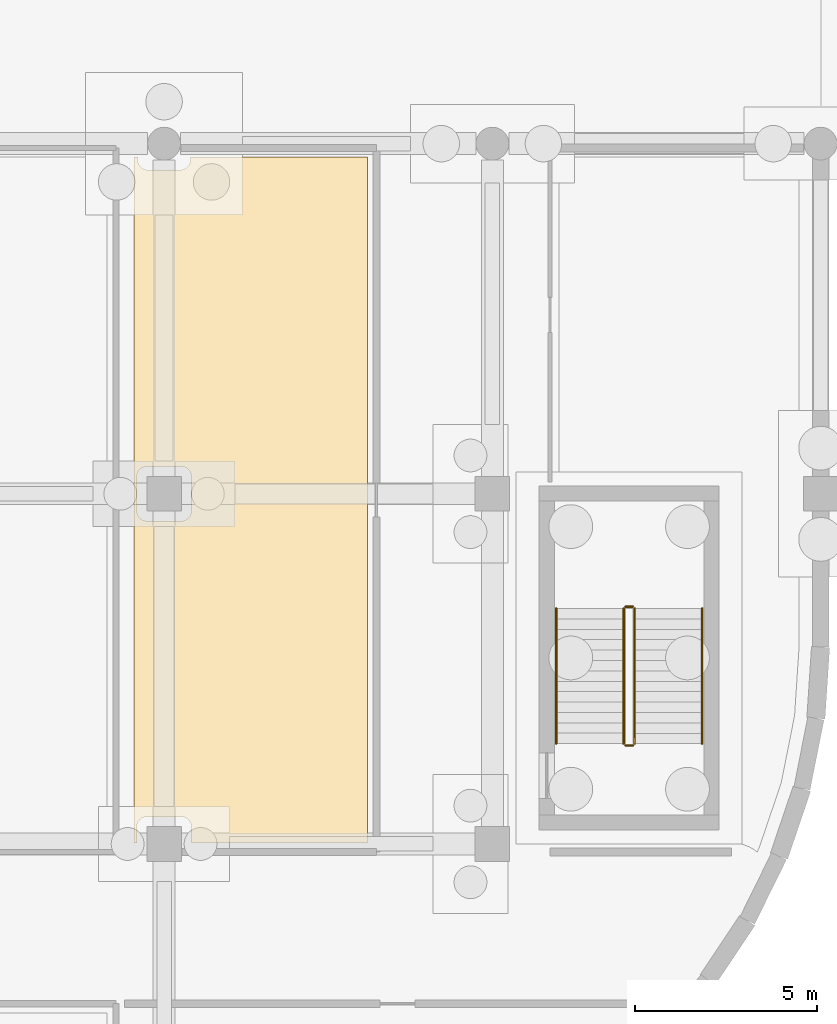
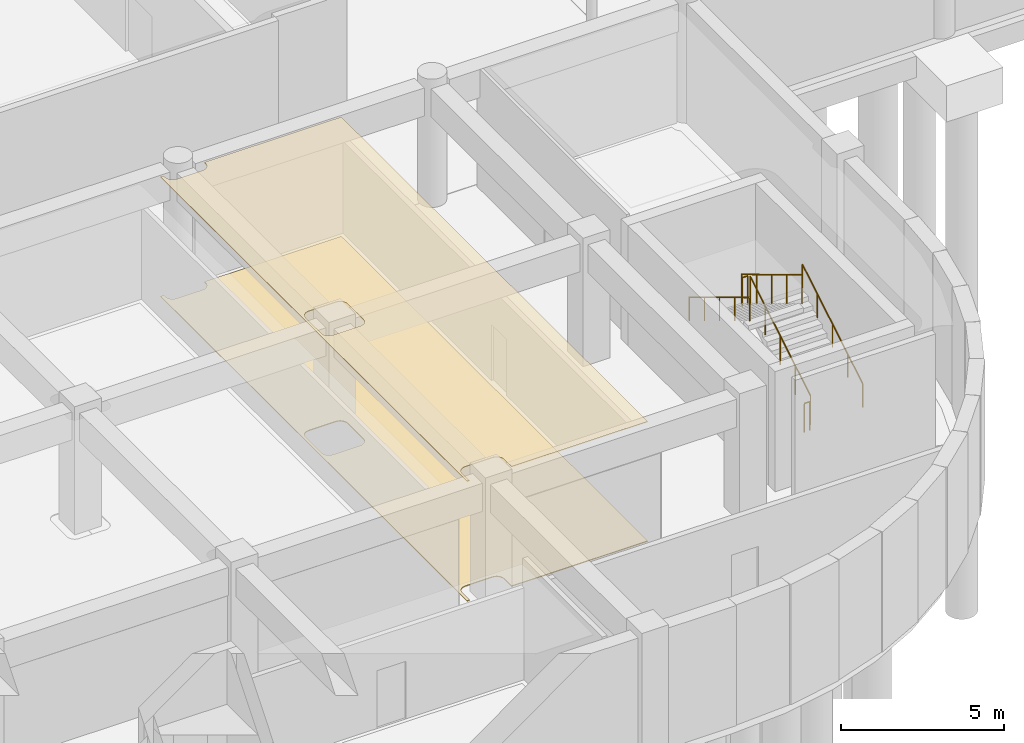
# One storey, part 35 of 47: 6 railings, 2 coverings.
"""IFC4 building model written with IfcOpenShell, lengths in metres."""

from ifc_helpers import new_model, si_unit, direction, frame, origin, origin_2d, place, context, subcontext, project, spatial, polyline, circle, outline, extrude, material, layer, layer_set, type_object, element, save


model = new_model("IFC4")

# Units and contexts
model_context = context("Model", 3, precision=1e-05, world=origin(), true_north=direction((0.0, 1.0)))
body_context = subcontext(model_context, "Body", "Model", "MODEL_VIEW")
ifc_project = project(units=[si_unit("LENGTHUNIT", "METRE"), si_unit("AREAUNIT", "SQUARE_METRE"), si_unit("VOLUMEUNIT", "CUBIC_METRE"), si_unit("PLANEANGLEUNIT", "RADIAN"), si_unit("MASSUNIT", "GRAM", prefix="KILO")], contexts=[model_context])

# Site, building, storey
site_placement = place(None, origin())
site = spatial("IfcSite", under=ifc_project, at=site_placement, CompositionType="ELEMENT")
building_placement = place(site_placement, origin())
building = spatial("IfcBuilding", under=site, at=building_placement, Name="Cendralis Terraced Arcade", CompositionType="ELEMENT")
storey_placement = place(building_placement, frame((0.0, 0.0, -4.800048828125)))
storey = spatial("IfcBuildingStorey", under=building, at=storey_placement, Name="B1", CompositionType="ELEMENT", Elevation=-4.800048828125)

# Coverings
ifc_material_1 = material(Name="Gypsum plasterboard acoustic partition")
ifc_layer_1 = layer(ifc_material_1, 0.02490234375, Name="COV-CEIL-ACOU-25")
ifc_layer_set_1 = layer_set([ifc_layer_1], Name="Gypsum plasterboard acoustic partition")
covering_type_1 = type_object("IfcCoveringType", Name="COV-CEIL-ACOU-25", PredefinedType="CEILING", material=ifc_layer_set_1)
covering_1_placement = place(storey_placement, frame((0.0, 0.0, 4.47509765625)))
element("IfcCovering", 1, at=covering_1_placement, inside=storey, type_object=covering_type_1, Name="Acoustic Soffit Ceiling B1-014", PredefinedType="CEILING", context=body_context, shape_type="SweptSolid", body=[
    extrude(outline(polyline([(102.47998046875, 37.949951171875), (102.480224609375, 37.937744140625), (102.48046875, 37.935791015625), (102.48291015625, 37.911376953125), (102.483154296875, 37.909423828125), (102.48779296875, 37.885498046875), (102.48828125, 37.88330078125), (102.49560546875, 37.860107421875), (102.49609375, 37.858154296875), (102.505615234375, 37.83544921875), (102.50634765625, 37.833740234375), (102.517822265625, 37.81201171875), (102.518798828125, 37.810302734375), (102.53271484375, 37.7900390625), (102.53369140625, 37.788330078125), (102.54931640625, 37.769287109375), (102.550537109375, 37.76806640625), (102.568115234375, 37.75048828125), (102.5693359375, 37.749267578125), (102.58837890625, 37.733642578125), (102.590087890625, 37.732666015625), (102.6103515625, 37.718994140625), (102.612060546875, 37.718017578125), (102.6337890625, 37.706298828125), (102.635498046875, 37.70556640625), (102.658203125, 37.696044921875), (102.659912109375, 37.695556640625), (102.683349609375, 37.6884765625), (102.685302734375, 37.68798828125), (102.70947265625, 37.68310546875), (102.71142578125, 37.682861328125), (102.73583984375, 37.680419921875), (102.73779296875, 37.680419921875), (102.75, 37.679931640625), (103.64990234375, 37.679931640625), (103.662353515625, 37.680419921875), (103.664306640625, 37.680419921875), (103.688720703125, 37.682861328125), (103.690673828125, 37.68310546875), (103.714599609375, 37.68798828125), (103.716552734375, 37.6884765625), (103.739990234375, 37.695556640625), (103.741943359375, 37.696044921875), (103.764404296875, 37.70556640625), (103.766357421875, 37.706298828125), (103.7880859375, 37.718017578125), (103.78955078125, 37.718994140625), (103.81005859375, 37.732666015625), (103.8115234375, 37.733642578125), (103.83056640625, 37.749267578125), (103.83203125, 37.75048828125), (103.849365234375, 37.76806640625), (103.8505859375, 37.769287109375), (103.8662109375, 37.788330078125), (103.867431640625, 37.7900390625), (103.881103515625, 37.810302734375), (103.882080078125, 37.81201171875), (103.8935546875, 37.833740234375), (103.89453125, 37.83544921875), (103.90380859375, 37.858154296875), (103.904541015625, 37.860107421875), (103.91162109375, 37.88330078125), (103.912109375, 37.885498046875), (103.9169921875, 37.909423828125), (103.917236328125, 37.911376953125), (103.919677734375, 37.935791015625), (103.919677734375, 37.937744140625), (103.919921875, 37.949951171875), (103.919921875, 38.030029296875), (108.77001953125, 38.030029296875), (108.77001953125, 19.22998046875), (103.945068359375, 19.22998046875), (103.945068359375, 19.675048828125), (103.944580078125, 19.687255859375), (103.944580078125, 19.689208984375), (103.942138671875, 19.713623046875), (103.94189453125, 19.715576171875), (103.93701171875, 19.739501953125), (103.9365234375, 19.74169921875), (103.929443359375, 19.764892578125), (103.928955078125, 19.766845703125), (103.91943359375, 19.78955078125), (103.918701171875, 19.791259765625), (103.906982421875, 19.81298828125), (103.906005859375, 19.814697265625), (103.892333984375, 19.8349609375), (103.891357421875, 19.836669921875), (103.875732421875, 19.855712890625), (103.87451171875, 19.85693359375), (103.85693359375, 19.87451171875), (103.855712890625, 19.875732421875), (103.836669921875, 19.891357421875), (103.8349609375, 19.892333984375), (103.814697265625, 19.906005859375), (103.81298828125, 19.906982421875), (103.791259765625, 19.918701171875), (103.78955078125, 19.91943359375), (103.766845703125, 19.928955078125), (103.764892578125, 19.929443359375), (103.74169921875, 19.9365234375), (103.739501953125, 19.93701171875), (103.715576171875, 19.94189453125), (103.713623046875, 19.942138671875), (103.689208984375, 19.944580078125), (103.687255859375, 19.944580078125), (103.675048828125, 19.945068359375), (102.72509765625, 19.945068359375), (102.712646484375, 19.944580078125), (102.710693359375, 19.944580078125), (102.686279296875, 19.942138671875), (102.684326171875, 19.94189453125), (102.660400390625, 19.93701171875), (102.658447265625, 19.9365234375), (102.635009765625, 19.929443359375), (102.633056640625, 19.928955078125), (102.610595703125, 19.91943359375), (102.608642578125, 19.918701171875), (102.5869140625, 19.906982421875), (102.58544921875, 19.906005859375), (102.56494140625, 19.892333984375), (102.5634765625, 19.891357421875), (102.54443359375, 19.875732421875), (102.54296875, 19.87451171875), (102.525634765625, 19.85693359375), (102.5244140625, 19.855712890625), (102.5087890625, 19.836669921875), (102.507568359375, 19.8349609375), (102.493896484375, 19.814697265625), (102.492919921875, 19.81298828125), (102.4814453125, 19.791259765625), (102.48046875, 19.78955078125), (102.47119140625, 19.766845703125), (102.470458984375, 19.764892578125), (102.46337890625, 19.74169921875), (102.462890625, 19.739501953125), (102.4580078125, 19.715576171875), (102.457763671875, 19.713623046875), (102.455322265625, 19.689208984375), (102.455322265625, 19.687255859375), (102.455078125, 19.675048828125), (102.455078125, 19.22998046875), (102.3701171875, 19.22998046875), (102.3701171875, 38.030029296875), (102.47998046875, 38.030029296875), (102.47998046875, 37.949951171875)]), holes=[polyline([(102.608642578125, 28.081298828125), (102.610595703125, 28.08056640625), (102.633056640625, 28.071044921875), (102.635009765625, 28.070556640625), (102.658447265625, 28.0634765625), (102.660400390625, 28.06298828125), (102.684326171875, 28.05810546875), (102.686279296875, 28.057861328125), (102.710693359375, 28.055419921875), (102.712646484375, 28.055419921875), (102.72509765625, 28.054931640625), (103.675048828125, 28.054931640625), (103.687255859375, 28.055419921875), (103.689208984375, 28.055419921875), (103.713623046875, 28.057861328125), (103.715576171875, 28.05810546875), (103.739501953125, 28.06298828125), (103.74169921875, 28.0634765625), (103.764892578125, 28.070556640625), (103.766845703125, 28.071044921875), (103.78955078125, 28.08056640625), (103.791259765625, 28.081298828125), (103.81298828125, 28.093017578125), (103.814697265625, 28.093994140625), (103.8349609375, 28.107666015625), (103.836669921875, 28.108642578125), (103.855712890625, 28.124267578125), (103.85693359375, 28.12548828125), (103.87451171875, 28.14306640625), (103.875732421875, 28.144287109375), (103.891357421875, 28.163330078125), (103.892333984375, 28.1650390625), (103.906005859375, 28.185302734375), (103.906982421875, 28.18701171875), (103.918701171875, 28.208740234375), (103.91943359375, 28.21044921875), (103.928955078125, 28.233154296875), (103.929443359375, 28.235107421875), (103.9365234375, 28.25830078125), (103.93701171875, 28.260498046875), (103.94189453125, 28.284423828125), (103.942138671875, 28.286376953125), (103.944580078125, 28.310791015625), (103.944580078125, 28.312744140625), (103.945068359375, 28.324951171875), (103.945068359375, 29.27490234375), (103.944580078125, 29.287353515625), (103.944580078125, 29.289306640625), (103.942138671875, 29.313720703125), (103.94189453125, 29.315673828125), (103.93701171875, 29.339599609375), (103.9365234375, 29.341552734375), (103.929443359375, 29.364990234375), (103.928955078125, 29.366943359375), (103.91943359375, 29.389404296875), (103.918701171875, 29.391357421875), (103.906982421875, 29.4130859375), (103.906005859375, 29.41455078125), (103.892333984375, 29.43505859375), (103.891357421875, 29.4365234375), (103.875732421875, 29.45556640625), (103.87451171875, 29.45703125), (103.85693359375, 29.474365234375), (103.855712890625, 29.4755859375), (103.836669921875, 29.4912109375), (103.8349609375, 29.492431640625), (103.814697265625, 29.506103515625), (103.81298828125, 29.507080078125), (103.791259765625, 29.5185546875), (103.78955078125, 29.51953125), (103.766845703125, 29.52880859375), (103.764892578125, 29.529541015625), (103.74169921875, 29.53662109375), (103.739501953125, 29.537109375), (103.715576171875, 29.5419921875), (103.713623046875, 29.542236328125), (103.689208984375, 29.544677734375), (103.687255859375, 29.544677734375), (103.675048828125, 29.544921875), (102.72509765625, 29.544921875), (102.712646484375, 29.544677734375), (102.710693359375, 29.544677734375), (102.686279296875, 29.542236328125), (102.684326171875, 29.5419921875), (102.660400390625, 29.537109375), (102.658447265625, 29.53662109375), (102.635009765625, 29.529541015625), (102.633056640625, 29.52880859375), (102.610595703125, 29.51953125), (102.608642578125, 29.5185546875), (102.5869140625, 29.507080078125), (102.58544921875, 29.506103515625), (102.56494140625, 29.492431640625), (102.5634765625, 29.4912109375), (102.54443359375, 29.4755859375), (102.54296875, 29.474365234375), (102.525634765625, 29.45703125), (102.5244140625, 29.45556640625), (102.5087890625, 29.4365234375), (102.507568359375, 29.43505859375), (102.493896484375, 29.41455078125), (102.492919921875, 29.4130859375), (102.4814453125, 29.391357421875), (102.48046875, 29.389404296875), (102.47119140625, 29.366943359375), (102.470458984375, 29.364990234375), (102.46337890625, 29.341552734375), (102.462890625, 29.339599609375), (102.4580078125, 29.315673828125), (102.457763671875, 29.313720703125), (102.455322265625, 29.289306640625), (102.455322265625, 29.287353515625), (102.455078125, 29.27490234375), (102.455078125, 28.324951171875), (102.455322265625, 28.312744140625), (102.455322265625, 28.310791015625), (102.457763671875, 28.286376953125), (102.4580078125, 28.284423828125), (102.462890625, 28.260498046875), (102.46337890625, 28.25830078125), (102.470458984375, 28.235107421875), (102.47119140625, 28.233154296875), (102.48046875, 28.21044921875), (102.4814453125, 28.208740234375), (102.492919921875, 28.18701171875), (102.493896484375, 28.185302734375), (102.507568359375, 28.1650390625), (102.5087890625, 28.163330078125), (102.5244140625, 28.144287109375), (102.525634765625, 28.14306640625), (102.54296875, 28.12548828125), (102.54443359375, 28.124267578125), (102.5634765625, 28.108642578125), (102.56494140625, 28.107666015625), (102.58544921875, 28.093994140625), (102.5869140625, 28.093017578125), (102.608642578125, 28.081298828125)])]), origin(), (0.0, 0.0, 1.0), 0.02490234375),
])
ifc_material_2 = material(Name="Polished Bogota limestone terrazzo flooring", Category="masonry")
ifc_layer_2 = layer(ifc_material_2, 0.030029296875, Name="COV-FLR-TERZ-30")
ifc_layer_set_2 = layer_set([ifc_layer_2], Name="Polished Bogota limestone terrazzo flooring")
covering_type_2 = type_object("IfcCoveringType", Name="COV-FLR-TERZ-30", PredefinedType="FLOORING", material=ifc_layer_set_2)
covering_2_placement = place(storey_placement, origin())
element("IfcCovering", 2, at=covering_2_placement, inside=storey, type_object=covering_type_2, Name="Interior Finish Flooring B1-014", PredefinedType="FLOORING", context=body_context, shape_type="SweptSolid", body=[
    extrude(outline(polyline([(102.47998046875, 37.949951171875), (102.480224609375, 37.937744140625), (102.48046875, 37.935791015625), (102.48291015625, 37.911376953125), (102.483154296875, 37.909423828125), (102.48779296875, 37.885498046875), (102.48828125, 37.88330078125), (102.49560546875, 37.860107421875), (102.49609375, 37.858154296875), (102.505615234375, 37.83544921875), (102.50634765625, 37.833740234375), (102.517822265625, 37.81201171875), (102.518798828125, 37.810302734375), (102.53271484375, 37.7900390625), (102.53369140625, 37.788330078125), (102.54931640625, 37.769287109375), (102.550537109375, 37.76806640625), (102.568115234375, 37.75048828125), (102.5693359375, 37.749267578125), (102.58837890625, 37.733642578125), (102.590087890625, 37.732666015625), (102.6103515625, 37.718994140625), (102.612060546875, 37.718017578125), (102.6337890625, 37.706298828125), (102.635498046875, 37.70556640625), (102.658203125, 37.696044921875), (102.659912109375, 37.695556640625), (102.683349609375, 37.6884765625), (102.685302734375, 37.68798828125), (102.70947265625, 37.68310546875), (102.71142578125, 37.682861328125), (102.73583984375, 37.680419921875), (102.73779296875, 37.680419921875), (102.75, 37.679931640625), (103.64990234375, 37.679931640625), (103.662353515625, 37.680419921875), (103.664306640625, 37.680419921875), (103.688720703125, 37.682861328125), (103.690673828125, 37.68310546875), (103.714599609375, 37.68798828125), (103.716552734375, 37.6884765625), (103.739990234375, 37.695556640625), (103.741943359375, 37.696044921875), (103.764404296875, 37.70556640625), (103.766357421875, 37.706298828125), (103.7880859375, 37.718017578125), (103.78955078125, 37.718994140625), (103.81005859375, 37.732666015625), (103.8115234375, 37.733642578125), (103.83056640625, 37.749267578125), (103.83203125, 37.75048828125), (103.849365234375, 37.76806640625), (103.8505859375, 37.769287109375), (103.8662109375, 37.788330078125), (103.867431640625, 37.7900390625), (103.881103515625, 37.810302734375), (103.882080078125, 37.81201171875), (103.8935546875, 37.833740234375), (103.89453125, 37.83544921875), (103.90380859375, 37.858154296875), (103.904541015625, 37.860107421875), (103.91162109375, 37.88330078125), (103.912109375, 37.885498046875), (103.9169921875, 37.909423828125), (103.917236328125, 37.911376953125), (103.919677734375, 37.935791015625), (103.919677734375, 37.937744140625), (103.919921875, 37.949951171875), (103.919921875, 38.030029296875), (108.77001953125, 38.030029296875), (108.77001953125, 19.22998046875), (103.945068359375, 19.22998046875), (103.945068359375, 19.675048828125), (103.944580078125, 19.687255859375), (103.944580078125, 19.689208984375), (103.942138671875, 19.713623046875), (103.94189453125, 19.715576171875), (103.93701171875, 19.739501953125), (103.9365234375, 19.74169921875), (103.929443359375, 19.764892578125), (103.928955078125, 19.766845703125), (103.91943359375, 19.78955078125), (103.918701171875, 19.791259765625), (103.906982421875, 19.81298828125), (103.906005859375, 19.814697265625), (103.892333984375, 19.8349609375), (103.891357421875, 19.836669921875), (103.875732421875, 19.855712890625), (103.87451171875, 19.85693359375), (103.85693359375, 19.87451171875), (103.855712890625, 19.875732421875), (103.836669921875, 19.891357421875), (103.8349609375, 19.892333984375), (103.814697265625, 19.906005859375), (103.81298828125, 19.906982421875), (103.791259765625, 19.918701171875), (103.78955078125, 19.91943359375), (103.766845703125, 19.928955078125), (103.764892578125, 19.929443359375), (103.74169921875, 19.9365234375), (103.739501953125, 19.93701171875), (103.715576171875, 19.94189453125), (103.713623046875, 19.942138671875), (103.689208984375, 19.944580078125), (103.687255859375, 19.944580078125), (103.675048828125, 19.945068359375), (102.72509765625, 19.945068359375), (102.712646484375, 19.944580078125), (102.710693359375, 19.944580078125), (102.686279296875, 19.942138671875), (102.684326171875, 19.94189453125), (102.660400390625, 19.93701171875), (102.658447265625, 19.9365234375), (102.635009765625, 19.929443359375), (102.633056640625, 19.928955078125), (102.610595703125, 19.91943359375), (102.608642578125, 19.918701171875), (102.5869140625, 19.906982421875), (102.58544921875, 19.906005859375), (102.56494140625, 19.892333984375), (102.5634765625, 19.891357421875), (102.54443359375, 19.875732421875), (102.54296875, 19.87451171875), (102.525634765625, 19.85693359375), (102.5244140625, 19.855712890625), (102.5087890625, 19.836669921875), (102.507568359375, 19.8349609375), (102.493896484375, 19.814697265625), (102.492919921875, 19.81298828125), (102.4814453125, 19.791259765625), (102.48046875, 19.78955078125), (102.47119140625, 19.766845703125), (102.470458984375, 19.764892578125), (102.46337890625, 19.74169921875), (102.462890625, 19.739501953125), (102.4580078125, 19.715576171875), (102.457763671875, 19.713623046875), (102.455322265625, 19.689208984375), (102.455322265625, 19.687255859375), (102.455078125, 19.675048828125), (102.455078125, 19.22998046875), (102.3701171875, 19.22998046875), (102.3701171875, 38.030029296875), (102.47998046875, 38.030029296875), (102.47998046875, 37.949951171875)]), holes=[polyline([(102.608642578125, 28.081298828125), (102.610595703125, 28.08056640625), (102.633056640625, 28.071044921875), (102.635009765625, 28.070556640625), (102.658447265625, 28.0634765625), (102.660400390625, 28.06298828125), (102.684326171875, 28.05810546875), (102.686279296875, 28.057861328125), (102.710693359375, 28.055419921875), (102.712646484375, 28.055419921875), (102.72509765625, 28.054931640625), (103.675048828125, 28.054931640625), (103.687255859375, 28.055419921875), (103.689208984375, 28.055419921875), (103.713623046875, 28.057861328125), (103.715576171875, 28.05810546875), (103.739501953125, 28.06298828125), (103.74169921875, 28.0634765625), (103.764892578125, 28.070556640625), (103.766845703125, 28.071044921875), (103.78955078125, 28.08056640625), (103.791259765625, 28.081298828125), (103.81298828125, 28.093017578125), (103.814697265625, 28.093994140625), (103.8349609375, 28.107666015625), (103.836669921875, 28.108642578125), (103.855712890625, 28.124267578125), (103.85693359375, 28.12548828125), (103.87451171875, 28.14306640625), (103.875732421875, 28.144287109375), (103.891357421875, 28.163330078125), (103.892333984375, 28.1650390625), (103.906005859375, 28.185302734375), (103.906982421875, 28.18701171875), (103.918701171875, 28.208740234375), (103.91943359375, 28.21044921875), (103.928955078125, 28.233154296875), (103.929443359375, 28.235107421875), (103.9365234375, 28.25830078125), (103.93701171875, 28.260498046875), (103.94189453125, 28.284423828125), (103.942138671875, 28.286376953125), (103.944580078125, 28.310791015625), (103.944580078125, 28.312744140625), (103.945068359375, 28.324951171875), (103.945068359375, 29.27490234375), (103.944580078125, 29.287353515625), (103.944580078125, 29.289306640625), (103.942138671875, 29.313720703125), (103.94189453125, 29.315673828125), (103.93701171875, 29.339599609375), (103.9365234375, 29.341552734375), (103.929443359375, 29.364990234375), (103.928955078125, 29.366943359375), (103.91943359375, 29.389404296875), (103.918701171875, 29.391357421875), (103.906982421875, 29.4130859375), (103.906005859375, 29.41455078125), (103.892333984375, 29.43505859375), (103.891357421875, 29.4365234375), (103.875732421875, 29.45556640625), (103.87451171875, 29.45703125), (103.85693359375, 29.474365234375), (103.855712890625, 29.4755859375), (103.836669921875, 29.4912109375), (103.8349609375, 29.492431640625), (103.814697265625, 29.506103515625), (103.81298828125, 29.507080078125), (103.791259765625, 29.5185546875), (103.78955078125, 29.51953125), (103.766845703125, 29.52880859375), (103.764892578125, 29.529541015625), (103.74169921875, 29.53662109375), (103.739501953125, 29.537109375), (103.715576171875, 29.5419921875), (103.713623046875, 29.542236328125), (103.689208984375, 29.544677734375), (103.687255859375, 29.544677734375), (103.675048828125, 29.544921875), (102.72509765625, 29.544921875), (102.712646484375, 29.544677734375), (102.710693359375, 29.544677734375), (102.686279296875, 29.542236328125), (102.684326171875, 29.5419921875), (102.660400390625, 29.537109375), (102.658447265625, 29.53662109375), (102.635009765625, 29.529541015625), (102.633056640625, 29.52880859375), (102.610595703125, 29.51953125), (102.608642578125, 29.5185546875), (102.5869140625, 29.507080078125), (102.58544921875, 29.506103515625), (102.56494140625, 29.492431640625), (102.5634765625, 29.4912109375), (102.54443359375, 29.4755859375), (102.54296875, 29.474365234375), (102.525634765625, 29.45703125), (102.5244140625, 29.45556640625), (102.5087890625, 29.4365234375), (102.507568359375, 29.43505859375), (102.493896484375, 29.41455078125), (102.492919921875, 29.4130859375), (102.4814453125, 29.391357421875), (102.48046875, 29.389404296875), (102.47119140625, 29.366943359375), (102.470458984375, 29.364990234375), (102.46337890625, 29.341552734375), (102.462890625, 29.339599609375), (102.4580078125, 29.315673828125), (102.457763671875, 29.313720703125), (102.455322265625, 29.289306640625), (102.455322265625, 29.287353515625), (102.455078125, 29.27490234375), (102.455078125, 28.324951171875), (102.455322265625, 28.312744140625), (102.455322265625, 28.310791015625), (102.457763671875, 28.286376953125), (102.4580078125, 28.284423828125), (102.462890625, 28.260498046875), (102.46337890625, 28.25830078125), (102.470458984375, 28.235107421875), (102.47119140625, 28.233154296875), (102.48046875, 28.21044921875), (102.4814453125, 28.208740234375), (102.492919921875, 28.18701171875), (102.493896484375, 28.185302734375), (102.507568359375, 28.1650390625), (102.5087890625, 28.163330078125), (102.5244140625, 28.144287109375), (102.525634765625, 28.14306640625), (102.54296875, 28.12548828125), (102.54443359375, 28.124267578125), (102.5634765625, 28.108642578125), (102.56494140625, 28.107666015625), (102.58544921875, 28.093994140625), (102.5869140625, 28.093017578125), (102.608642578125, 28.081298828125)])]), origin(), (0.0, 0.0, 1.0), 0.030029296875),
])

# Railings
ifc_material_3 = material(Name="Brushed stainless steel AISI 316", Category="steel")
railing_type_1 = type_object("IfcRailingType", Name="RL-STAIR-GUARD-1100", PredefinedType="GUARDRAIL", material=ifc_material_3)
railing_1_placement = place(storey_placement, frame((116.10009765625, 21.949951171875, 0.17138671875)))
element("IfcRailing", 3, at=railing_1_placement, inside=storey, type_object=railing_type_1, Name="B1 ST-09 stair guard 1", PredefinedType="GUARDRAIL", context=body_context, shape_type="SweptSolid", body=[
    extrude(circle(Radius=0.02392578125, at=origin_2d()), frame((0.0, 0.0, 1.076171875), z_axis=(0.0, 0.856909459561, 0.515466951525), x_axis=(-1.0, 0.0, 0.0)), (0.0, 0.0, 1.0), 4.32373046875),
    extrude(circle(Radius=0.02099609375, at=origin_2d()), origin(), (0.0, 0.0, 1.0), 1.052001953125),
    extrude(circle(Radius=0.02099609375, at=origin_2d()), frame((0.0, 0.92626953125, 0.55712890625)), (0.0, 0.0, 1.0), 1.052001953125),
    extrude(circle(Radius=0.02099609375, at=origin_2d()), frame((0.0, 1.8525390625, 1.1142578125)), (0.0, 0.0, 1.0), 1.052001953125),
    extrude(circle(Radius=0.02099609375, at=origin_2d()), frame((0.0, 2.77880859375, 1.671630859375)), (0.0, 0.0, 1.0), 1.052001953125),
    extrude(circle(Radius=0.02099609375, at=origin_2d()), frame((0.0, 3.705078125, 2.228759765625)), (0.0, 0.0, 1.0), 1.052001953125),
])
railing_2_placement = place(storey_placement, frame((116.050048828125, 25.705078125, 2.400146484375)))
element("IfcRailing", 4, at=railing_2_placement, inside=storey, type_object=railing_type_1, Name="B1 ST-09 stair guard 2", PredefinedType="GUARDRAIL", context=body_context, shape_type="SweptSolid", body=[
    extrude(circle(Radius=0.02392578125, at=origin_2d()), frame((0.0, 0.0, 1.076171875), z_axis=(-1.0, 0.0, 0.0), x_axis=(0.0, -1.0, 0.0)), (0.0, 0.0, 1.0), 0.199951171875),
    extrude(circle(Radius=0.02099609375, at=origin_2d()), origin(), (0.0, 0.0, 1.0), 1.052001953125),
    extrude(circle(Radius=0.02099609375, at=origin_2d()), frame((-0.199951171875, 0.0, 0.0)), (0.0, 0.0, 1.0), 1.052001953125),
])
railing_3_placement = place(storey_placement, frame((115.800048828125, 25.655029296875, 2.571533203125)))
element("IfcRailing", 5, at=railing_3_placement, inside=storey, type_object=railing_type_1, Name="B1 ST-09 stair guard 3", PredefinedType="GUARDRAIL", context=body_context, shape_type="SweptSolid", body=[
    extrude(circle(Radius=0.02392578125, at=origin_2d()), frame((0.0, 0.0, 1.076171875), z_axis=(0.0, -0.856934400257, 0.515425487977), x_axis=(1.0, 0.0, 0.0)), (0.0, 0.0, 1.0), 4.32373046875),
    extrude(circle(Radius=0.02099609375, at=origin_2d()), origin(), (0.0, 0.0, 1.0), 1.052001953125),
    extrude(circle(Radius=0.02099609375, at=origin_2d()), frame((0.0, -0.92626953125, 0.55712890625)), (0.0, 0.0, 1.0), 1.052001953125),
    extrude(circle(Radius=0.02099609375, at=origin_2d()), frame((0.0, -1.8525390625, 1.1142578125)), (0.0, 0.0, 1.0), 1.052001953125),
    extrude(circle(Radius=0.02099609375, at=origin_2d()), frame((0.0, -2.77880859375, 1.67138671875)), (0.0, 0.0, 1.0), 1.052001953125),
    extrude(circle(Radius=0.02099609375, at=origin_2d()), frame((0.0, -3.705078125, 2.228515625)), (0.0, 0.0, 1.0), 1.052001953125),
])
railing_4_placement = place(storey_placement, frame((116.050048828125, 21.89990234375, 0.0)))
element("IfcRailing", 6, at=railing_4_placement, inside=storey, type_object=railing_type_1, Name="B1 ST-09 stair guard 4", PredefinedType="GUARDRAIL", context=body_context, shape_type="SweptSolid", body=[
    extrude(circle(Radius=0.02392578125, at=origin_2d()), frame((0.0, 0.0, 1.076171875), z_axis=(-1.0, 0.0, 0.0), x_axis=(0.0, -1.0, 0.0)), (0.0, 0.0, 1.0), 0.199951171875),
    extrude(circle(Radius=0.02099609375, at=origin_2d()), origin(), (0.0, 0.0, 1.0), 1.052001953125),
    extrude(circle(Radius=0.02099609375, at=origin_2d()), frame((-0.199951171875, 0.0, 0.0)), (0.0, 0.0, 1.0), 1.052001953125),
])
railing_type_2 = type_object("IfcRailingType", Name="RL-STAIR-HAND-900", PredefinedType="HANDRAIL", material=ifc_material_3)
railing_5_placement = place(storey_placement, frame((117.949951171875, 21.949951171875, 0.17138671875)))
element("IfcRailing", 7, at=railing_5_placement, inside=storey, type_object=railing_type_2, Name="B1 ST-09 stair handrail 1", PredefinedType="HANDRAIL", context=body_context, shape_type="SweptSolid", body=[
    extrude(circle(Radius=0.02392578125, at=origin_2d()), frame((0.0, 0.0, 0.8759765625), z_axis=(0.0, 0.856909459561, 0.515466951525), x_axis=(-1.0, 0.0, 0.0)), (0.0, 0.0, 1.0), 4.32373046875),
    extrude(circle(Radius=0.02099609375, at=origin_2d()), origin(), (0.0, 0.0, 1.0), 0.851806640625),
    extrude(circle(Radius=0.02099609375, at=origin_2d()), frame((0.0, 0.92626953125, 0.55712890625)), (0.0, 0.0, 1.0), 0.851806640625),
    extrude(circle(Radius=0.02099609375, at=origin_2d()), frame((0.0, 1.8525390625, 1.1142578125)), (0.0, 0.0, 1.0), 0.851806640625),
    extrude(circle(Radius=0.02099609375, at=origin_2d()), frame((0.0, 2.77880859375, 1.671630859375)), (0.0, 0.0, 1.0), 0.851806640625),
    extrude(circle(Radius=0.02099609375, at=origin_2d()), frame((0.0, 3.705078125, 2.228759765625)), (0.0, 0.0, 1.0), 0.851806640625),
])
railing_6_placement = place(storey_placement, frame((113.949951171875, 25.655029296875, 2.571533203125)))
element("IfcRailing", 8, at=railing_6_placement, inside=storey, type_object=railing_type_2, Name="B1 ST-09 stair handrail 2", PredefinedType="HANDRAIL", context=body_context, shape_type="SweptSolid", body=[
    extrude(circle(Radius=0.02392578125, at=origin_2d()), frame((0.0, 0.0, 0.8759765625), z_axis=(0.0, -0.856934400257, 0.515425487977), x_axis=(1.0, 0.0, 0.0)), (0.0, 0.0, 1.0), 4.32373046875),
    extrude(circle(Radius=0.02099609375, at=origin_2d()), origin(), (0.0, 0.0, 1.0), 0.851806640625),
    extrude(circle(Radius=0.02099609375, at=origin_2d()), frame((0.0, -0.92626953125, 0.55712890625)), (0.0, 0.0, 1.0), 0.851806640625),
    extrude(circle(Radius=0.02099609375, at=origin_2d()), frame((0.0, -1.8525390625, 1.1142578125)), (0.0, 0.0, 1.0), 0.851806640625),
    extrude(circle(Radius=0.02099609375, at=origin_2d()), frame((0.0, -2.77880859375, 1.67138671875)), (0.0, 0.0, 1.0), 0.851806640625),
    extrude(circle(Radius=0.02099609375, at=origin_2d()), frame((0.0, -3.705078125, 2.228515625)), (0.0, 0.0, 1.0), 0.851806640625),
])

save(model, "model.ifc")
